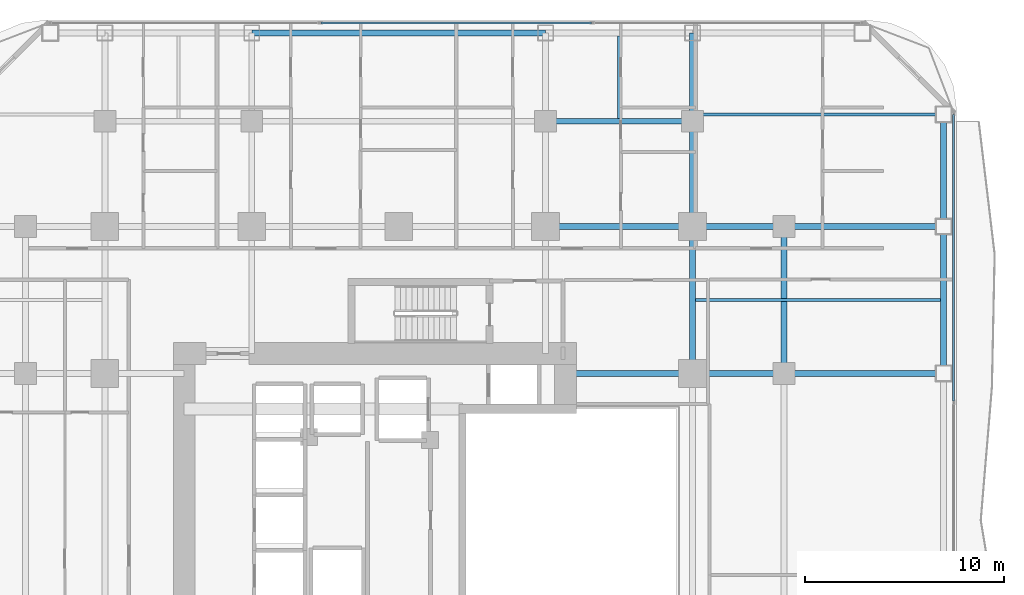
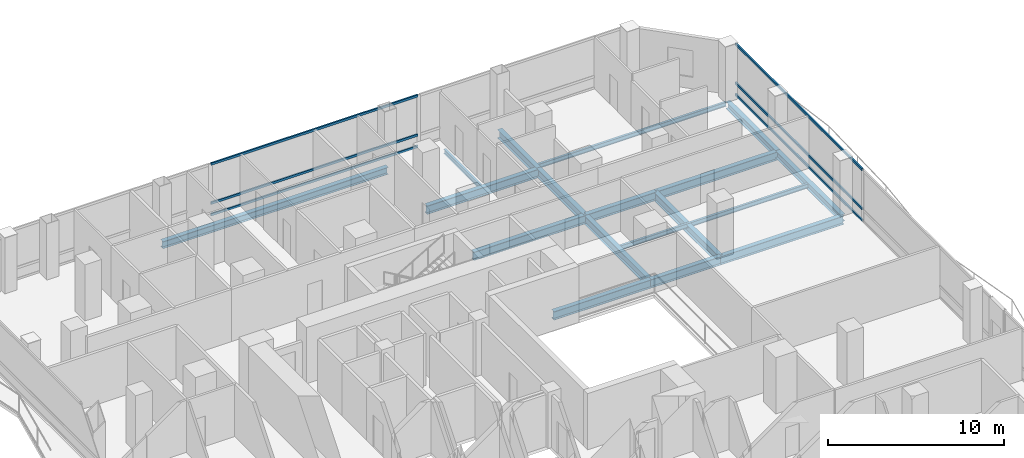
# One storey, part 17 of 27: 17 beams, 6 members, 2 elements without a shape of their own.
"""IFC4 building model written with IfcOpenShell, lengths in metres."""

import ifcopenshell
import ifcopenshell.guid

model = None  # the IFC model being written
_history = None  # IfcOwnerHistory: only IFC2X3 demands one
_inside = {}  # id of a spatial element -> (the spatial element, [elements in it])
_under = {}  # id of a project, library or spatial element -> (it, [spatial elements below it])
_declared = {}  # id of a project -> (the project, [libraries it declares])
_typed = {}  # id of a type object -> (the type object, [elements of that type])
_made_of = {}  # id of a material, layer set ... -> (it, [elements and type objects made of it])


def new_model(schema):
    """Start an empty IFC model of exactly this schema.

    Asked for "IFC4X3", IfcOpenShell would pick the latest addendum, in which some entities
    have other attributes; the version numbers below select the first issue.
    IFC2X3 requires an IfcOwnerHistory on every rooted entity: one is made here for all.
    """
    global model, _history
    if schema == "IFC4X3":
        model = ifcopenshell.file(schema_version=(4, 3, 0, 0))
    else:
        model = ifcopenshell.file(schema=schema)
    _inside.clear()
    _under.clear()
    _declared.clear()
    _typed.clear()
    _made_of.clear()
    _history = None
    if model.schema == "IFC2X3":
        org = make("IfcOrganization", Name="unknown")
        user = make(
            "IfcPersonAndOrganization",
            ThePerson=make("IfcPerson", FamilyName="unknown"),
            TheOrganization=org,
        )
        app = make(
            "IfcApplication",
            ApplicationDeveloper=org,
            Version="unknown",
            ApplicationFullName="unknown",
            ApplicationIdentifier="unknown",
        )
        _history = make(
            "IfcOwnerHistory",
            OwningUser=user,
            OwningApplication=app,
            ChangeAction="ADDED",
            CreationDate=0,
        )
    return model


def make(cls, **values):
    """One entity of the class cls with the attributes given. An attribute that is None is left unset."""
    return model.create_entity(
        cls, **{name: value for name, value in values.items() if value is not None}
    )


def rooted(cls, **values):
    """An entity with a GlobalId (a new one), such as an element, a storey or a relation."""
    return make(cls, GlobalId=ifcopenshell.guid.new(), OwnerHistory=_history, **values)


def si_unit(unit_type, name, prefix=None):
    """IfcSIUnit, for example si_unit("LENGTHUNIT", "METRE", prefix="MILLI")."""
    return make("IfcSIUnit", UnitType=unit_type, Prefix=prefix, Name=name)


def assignment(units):
    """IfcUnitAssignment: the units of a project."""
    return None if units is None else make("IfcUnitAssignment", Units=units)


def point(xyz):
    """IfcCartesianPoint."""
    return None if xyz is None else make("IfcCartesianPoint", Coordinates=xyz)


def direction(xyz):
    """IfcDirection."""
    return None if xyz is None else make("IfcDirection", DirectionRatios=xyz)


def frame(location, z_axis=None, x_axis=None):
    """IfcAxis2Placement3D, a coordinate frame: its origin and axes. An axis left out is left unset."""
    return make(
        "IfcAxis2Placement3D",
        Location=point(location),
        Axis=direction(z_axis),
        RefDirection=direction(x_axis),
    )


def frame_2d(location, x_axis=None):
    """IfcAxis2Placement2D, a coordinate frame in the plane: its origin and x axis."""
    return make(
        "IfcAxis2Placement2D", Location=point(location), RefDirection=direction(x_axis)
    )


def origin():
    """The frame at (0, 0, 0) with its axes left unset."""
    return frame((0.0, 0.0, 0.0))


def origin_2d():
    """The frame at (0, 0) in the plane with its x axis left unset."""
    return frame_2d((0.0, 0.0))


def place(relative_to, where):
    """IfcLocalPlacement: puts the frame where relative to a parent placement (None: the world)."""
    return make(
        "IfcLocalPlacement", PlacementRelTo=relative_to, RelativePlacement=where
    )


def context(
    kind, dimensions, precision=None, world=None, true_north=None, identifier=None
):
    """IfcGeometricRepresentationContext, for example the 3D "Model" context."""
    return make(
        "IfcGeometricRepresentationContext",
        ContextIdentifier=identifier,
        ContextType=kind,
        CoordinateSpaceDimension=dimensions,
        Precision=precision,
        WorldCoordinateSystem=world,
        TrueNorth=true_north,
    )


def subcontext(parent, identifier, kind, view, scale=None):
    """IfcGeometricRepresentationSubContext, for example "Body" below "Model"."""
    return make(
        "IfcGeometricRepresentationSubContext",
        ContextIdentifier=identifier,
        ContextType=kind,
        ParentContext=parent,
        TargetScale=scale,
        TargetView=view,
    )


def project(units=None, contexts=None):
    """IfcProject with its units and contexts."""
    return rooted(
        "IfcProject",
        Name="project",
        RepresentationContexts=contexts,
        UnitsInContext=assignment(units),
    )


def spatial(cls, under=None, at=None, **own):
    """A site, building, storey or space (cls), placed at a placement, below another one or the project."""
    s = rooted(cls, ObjectPlacement=at, **own)
    if under is not None:
        _under.setdefault(under.id(), (under, []))[1].append(s)
    return s


def profile(cls, at=None, kind="AREA", **sizes):
    """A parametric profile (cls). Its sizes go by their IFC names, for example OverallWidth=200.0."""
    return make(cls, ProfileType=kind, Position=at, **sizes)


def hollow_rectangle(**sizes):
    """IfcRectangleHollowProfileDef."""
    return profile("IfcRectangleHollowProfileDef", **sizes)


def i_section(**sizes):
    """IfcIShapeProfileDef."""
    return profile("IfcIShapeProfileDef", **sizes)


def extrude(swept, where, along, depth):
    """IfcExtrudedAreaSolid: the profile swept, set in the frame where, extruded along a direction by depth."""
    return make(
        "IfcExtrudedAreaSolid",
        SweptArea=swept,
        Position=where,
        ExtrudedDirection=direction(along),
        Depth=depth,
    )


def shape(context_of_items, identifier, shape_type, items):
    """IfcShapeRepresentation: the items that make up one representation, for example the "Body"."""
    return make(
        "IfcShapeRepresentation",
        ContextOfItems=context_of_items,
        RepresentationIdentifier=identifier,
        RepresentationType=shape_type,
        Items=items,
    )


def material(Name=None, Category=None):
    """IfcMaterial."""
    return make("IfcMaterial", Name=Name, Category=Category)


def layer(
    of_material, thickness, ventilated=None, Name=None, Category=None, Priority=None
):
    """IfcMaterialLayer: one layer of a wall or slab, of a material (None: an air gap)."""
    return make(
        "IfcMaterialLayer",
        Material=of_material,
        LayerThickness=thickness,
        IsVentilated=ventilated,
        Name=Name,
        Category=Category,
        Priority=Priority,
    )


def layer_set(layers, Name=None):
    """IfcMaterialLayerSet."""
    return make("IfcMaterialLayerSet", MaterialLayers=layers, LayerSetName=Name)


def material_profile(
    of_material, cross_section, Name=None, Category=None, Priority=None
):
    """IfcMaterialProfile: a cross section and its material."""
    return make(
        "IfcMaterialProfile",
        Name=Name,
        Material=of_material,
        Profile=cross_section,
        Priority=Priority,
        Category=Category,
    )


def profile_set(profiles, Name=None, composite=None):
    """IfcMaterialProfileSet."""
    return make(
        "IfcMaterialProfileSet",
        Name=Name,
        MaterialProfiles=profiles,
        CompositeProfile=composite,
    )


def made_of(thing, what):
    """Note that an element or type object is made of a material, layer set ...; save() writes the relation."""
    if what is not None:
        _made_of.setdefault(what.id(), (what, []))[1].append(thing)
    return thing


def type_object(cls, material=None, **own):
    """A type object (cls), such as IfcWallType, which elements share."""
    return made_of(rooted(cls, **own), material)


def element(
    cls,
    number,
    at=None,
    inside=None,
    cuts=None,
    type_object=None,
    material=None,
    context=None,
    identifier="Body",
    shape_type=None,
    held_by="IfcProductDefinitionShape",
    body=None,
    shapes=None,
    **own,
):
    """One element of the class cls, such as IfcWall. Its Tag is "e" and its number.

    at: its placement. inside: the storey or other place that contains it. cuts: it is an
    opening in that element (IfcRelVoidsElement). A single representation is given by context,
    identifier, shape_type and body (its items); several are given by shapes. held_by: the class
    of the entity that holds the representations. save() writes the other relations.
    """
    e = rooted(cls, Tag="e%d" % number, ObjectPlacement=at, **own)
    if body is not None:
        shapes = [shape(context, identifier, shape_type, body)]
    if shapes is not None:
        e.Representation = make(held_by, Representations=shapes)
    if inside is not None:
        _inside.setdefault(inside.id(), (inside, []))[1].append(e)
    if cuts is not None:
        rooted(
            "IfcRelVoidsElement", RelatingBuildingElement=cuts, RelatedOpeningElement=e
        )
    if type_object is not None:
        _typed.setdefault(type_object.id(), (type_object, []))[1].append(e)
    return made_of(e, material)


def aggregate(whole, parts):
    """IfcRelAggregates: a whole, such as a stair, and the parts it consists of."""
    return rooted("IfcRelAggregates", RelatingObject=whole, RelatedObjects=parts)


def save(model, path):
    """Write the relations noted so far, then the file.

    IfcRelAggregates (storeys below a building ...), IfcRelContainedInSpatialStructure (elements
    in a storey), IfcRelDefinesByType, IfcRelAssociatesMaterial and IfcRelDeclares: one each for
    every whole, place, type object, material and project.
    """
    for whole, parts in _under.values():
        aggregate(whole, parts)
    for where, things in _inside.values():
        rooted(
            "IfcRelContainedInSpatialStructure",
            RelatedElements=things,
            RelatingStructure=where,
        )
    for kind, things in _typed.values():
        rooted("IfcRelDefinesByType", RelatedObjects=things, RelatingType=kind)
    for what, things in _made_of.values():
        rooted("IfcRelAssociatesMaterial", RelatedObjects=things, RelatingMaterial=what)
    for by, libraries in _declared.values():
        rooted("IfcRelDeclares", RelatingContext=by, RelatedDefinitions=libraries)
    model.write(path)


model = new_model("IFC4")

# Units and contexts
model_context = context("Model", 3, precision=1e-05, world=origin(), true_north=direction((0.0, 1.0)))
body_context = subcontext(model_context, "Body", "Model", "MODEL_VIEW")
ifc_project = project(units=[si_unit("LENGTHUNIT", "METRE"), si_unit("AREAUNIT", "SQUARE_METRE"), si_unit("VOLUMEUNIT", "CUBIC_METRE"), si_unit("PLANEANGLEUNIT", "RADIAN"), si_unit("MASSUNIT", "GRAM", prefix="KILO")], contexts=[model_context])

# Site, building, storey
site_placement = place(None, origin())
site = spatial("IfcSite", under=ifc_project, at=site_placement, CompositionType="ELEMENT")
building_placement = place(site_placement, origin())
building = spatial("IfcBuilding", under=site, at=building_placement, Name="Khorvyn Point Tower", CompositionType="ELEMENT")
storey_placement = place(building_placement, frame((0.0, 0.0, 50.10009765625)))
storey = spatial("IfcBuildingStorey", under=building, at=storey_placement, Name="L13", CompositionType="ELEMENT", Elevation=50.10009765625)

# Curtain wall, members
ifc_material_1 = material(Name="Anodised aluminium 6063-T6 and laminated Low-E glass", Category="aluminium")
ifc_layer = layer(ifc_material_1, 0.18994140625)
ifc_layer_set = layer_set([ifc_layer], Name="Stick-Built Finned Residential Curtain Wall CW-SYS-02")
curtain_wall_type = type_object("IfcCurtainWallType", Name="Stick-Built Finned Residential Curtain Wall CW-SYS-02", PredefinedType="NOTDEFINED", material=ifc_layer_set)
curtain_wall_1_placement = place(storey_placement, origin())
curtain_wall_1 = element("IfcCurtainWall", 1, at=curtain_wall_1_placement, inside=storey, type_object=curtain_wall_type, Name="Curtain Wall", PredefinedType="NOTDEFINED")
ifc_material_2 = material(Name="Anodised aluminium 6063-T6", Category="aluminium")
ifc_material_profile_1 = material_profile(ifc_material_2, hollow_rectangle(XDim=0.10009765625, YDim=0.159912109375, WallThickness=0.00439453125, at=origin_2d()))
ifc_profile_set_1 = profile_set([ifc_material_profile_1], Name="Anodised aluminium 6063-T6 ALU-TRN-100x160")
member_type = type_object("IfcMemberType", Name="Anodised Aluminium 6063-T6 Transom ALU-TRN-100x160", PredefinedType="USERDEFINED", material=ifc_profile_set_1)
member_1_placement = place(storey_placement, frame((-3.89990234375, 25.050048828125, 0.0498046875), z_axis=(1.0, 0.0, 0.0), x_axis=(0.0, 1.0, 0.0)))
member_1 = element("IfcMember", 2, at=member_1_placement, type_object=member_type, Name="Transom", ObjectType="TRANSOM", PredefinedType="USERDEFINED", context=body_context, shape_type="SweptSolid", body=[
    extrude(hollow_rectangle(XDim=0.10009765625, YDim=0.159912109375, WallThickness=0.00439453125, at=origin_2d()), origin(), (0.0, 0.0, 1.0), 13.599853515625),
])
member_2_placement = place(storey_placement, frame((-3.89990234375, 25.050048828125, 0.849853515625), z_axis=(1.0, 0.0, 0.0), x_axis=(0.0, 1.0, 0.0)))
member_2 = element("IfcMember", 3, at=member_2_placement, type_object=member_type, Name="Transom", ObjectType="TRANSOM", PredefinedType="USERDEFINED", context=body_context, shape_type="SweptSolid", body=[
    extrude(hollow_rectangle(XDim=0.10009765625, YDim=0.159912109375, WallThickness=0.00439453125, at=origin_2d()), origin(), (0.0, 0.0, 1.0), 13.599853515625),
])
member_3_placement = place(storey_placement, frame((-3.89990234375, 25.050048828125, 3.56982421875), z_axis=(1.0, 0.0, 0.0), x_axis=(0.0, 1.0, 0.0)))
member_3 = element("IfcMember", 4, at=member_3_placement, type_object=member_type, Name="Transom", ObjectType="TRANSOM", PredefinedType="USERDEFINED", context=body_context, shape_type="SweptSolid", body=[
    extrude(hollow_rectangle(XDim=0.10009765625, YDim=0.159912109375, WallThickness=0.00439453125, at=origin_2d()), origin(), (0.0, 0.0, 1.0), 13.599853515625),
])
aggregate(curtain_wall_1, [member_1, member_2, member_3])

curtain_wall_2_placement = place(storey_placement, origin())
curtain_wall_2 = element("IfcCurtainWall", 5, at=curtain_wall_2_placement, inside=storey, type_object=curtain_wall_type, Name="Curtain Wall", PredefinedType="NOTDEFINED")
member_4_placement = place(storey_placement, frame((27.949951171875, 20.449951171875, 0.0498046875), z_axis=(0.0, -1.0, 0.0), x_axis=(1.0, 0.0, 0.0)))
member_4 = element("IfcMember", 6, at=member_4_placement, type_object=member_type, Name="Transom", ObjectType="TRANSOM", PredefinedType="USERDEFINED", context=body_context, shape_type="SweptSolid", body=[
    extrude(hollow_rectangle(XDim=0.10009765625, YDim=0.159912109375, WallThickness=0.00439453125, at=origin_2d()), origin(), (0.0, 0.0, 1.0), 14.448486328125),
])
member_5_placement = place(storey_placement, frame((27.949951171875, 20.449951171875, 0.849853515625), z_axis=(0.0, -1.0, 0.0), x_axis=(1.0, 0.0, 0.0)))
member_5 = element("IfcMember", 7, at=member_5_placement, type_object=member_type, Name="Transom", ObjectType="TRANSOM", PredefinedType="USERDEFINED", context=body_context, shape_type="SweptSolid", body=[
    extrude(hollow_rectangle(XDim=0.10009765625, YDim=0.159912109375, WallThickness=0.00439453125, at=origin_2d()), origin(), (0.0, 0.0, 1.0), 14.448486328125),
])
member_6_placement = place(storey_placement, frame((27.949951171875, 20.449951171875, 3.56982421875), z_axis=(0.0, -1.0, 0.0), x_axis=(1.0, 0.0, 0.0)))
member_6 = element("IfcMember", 8, at=member_6_placement, type_object=member_type, Name="Transom", ObjectType="TRANSOM", PredefinedType="USERDEFINED", context=body_context, shape_type="SweptSolid", body=[
    extrude(hollow_rectangle(XDim=0.10009765625, YDim=0.159912109375, WallThickness=0.00439453125, at=origin_2d()), origin(), (0.0, 0.0, 1.0), 14.448486328125),
])
aggregate(curtain_wall_2, [member_4, member_5, member_6])

# Beams
ifc_material_3 = material(Name="Steel S355", Category="steel")
ifc_material_profile_2 = material_profile(ifc_material_3, i_section(OverallWidth=0.300048828125, OverallDepth=0.587890625, WebThickness=0.011962890625, FlangeThickness=0.02001953125, at=origin_2d()))
ifc_profile_set_2 = profile_set([ifc_material_profile_2], Name="Steel S355 H588x300x12x20")
beam_type_1 = type_object("IfcBeamType", Name="Steel S355 Beam H588x300x12x20", PredefinedType="BEAM", material=ifc_profile_set_2)
beam_1_placement = place(storey_placement, frame((7.39990234375, 14.800048828125, -0.51416015625), z_axis=(1.0, 0.0, 0.0), x_axis=(0.0, 1.0, 0.0)))
element("IfcBeam", 9, at=beam_1_placement, inside=storey, type_object=beam_type_1, Name="Beam", PredefinedType="BEAM", context=body_context, shape_type="SweptSolid", body=[
    extrude(i_section(OverallWidth=0.300048828125, OverallDepth=0.587890625, WebThickness=0.011962890625, FlangeThickness=0.02001953125, at=origin_2d()), origin(), (0.0, 0.0, 1.0), 7.400146484375),
])
beam_2_placement = place(storey_placement, frame((14.800048828125, 14.800048828125, -0.51416015625), z_axis=(1.0, 0.0, 0.0), x_axis=(0.0, 1.0, 0.0)))
element("IfcBeam", 10, at=beam_2_placement, inside=storey, type_object=beam_type_1, Name="Beam", PredefinedType="BEAM", context=body_context, shape_type="SweptSolid", body=[
    extrude(i_section(OverallWidth=0.300048828125, OverallDepth=0.587890625, WebThickness=0.011962890625, FlangeThickness=0.02001953125, at=origin_2d()), origin(), (0.0, 0.0, 1.0), 4.599853515625),
])
beam_3_placement = place(storey_placement, frame((19.39990234375, 14.800048828125, -0.51416015625), z_axis=(1.0, 0.0, 0.0), x_axis=(0.0, 1.0, 0.0)))
element("IfcBeam", 11, at=beam_3_placement, inside=storey, type_object=beam_type_1, Name="Beam", PredefinedType="BEAM", context=body_context, shape_type="SweptSolid", body=[
    extrude(i_section(OverallWidth=0.300048828125, OverallDepth=0.587890625, WebThickness=0.011962890625, FlangeThickness=0.02001953125, at=origin_2d()), origin(), (0.0, 0.0, 1.0), 8.050048828125),
])
beam_4_placement = place(storey_placement, frame((8.39990234375, 7.39990234375, -0.51416015625), z_axis=(1.0, 0.0, 0.0), x_axis=(0.0, 1.0, 0.0)))
element("IfcBeam", 12, at=beam_4_placement, inside=storey, type_object=beam_type_1, Name="Beam", PredefinedType="BEAM", context=body_context, shape_type="SweptSolid", body=[
    extrude(i_section(OverallWidth=0.300048828125, OverallDepth=0.587890625, WebThickness=0.011962890625, FlangeThickness=0.02001953125, at=origin_2d()), origin(), (0.0, 0.0, 1.0), 6.400146484375),
])
beam_5_placement = place(storey_placement, frame((14.800048828125, 7.39990234375, -0.51416015625), z_axis=(1.0, 0.0, 0.0), x_axis=(0.0, 1.0, 0.0)))
element("IfcBeam", 13, at=beam_5_placement, inside=storey, type_object=beam_type_1, Name="Beam", PredefinedType="BEAM", context=body_context, shape_type="SweptSolid", body=[
    extrude(i_section(OverallWidth=0.300048828125, OverallDepth=0.587890625, WebThickness=0.011962890625, FlangeThickness=0.02001953125, at=origin_2d()), origin(), (0.0, 0.0, 1.0), 4.599853515625),
])
beam_6_placement = place(storey_placement, frame((19.39990234375, 7.39990234375, -0.51416015625), z_axis=(1.0, 0.0, 0.0), x_axis=(0.0, 1.0, 0.0)))
element("IfcBeam", 14, at=beam_6_placement, inside=storey, type_object=beam_type_1, Name="Beam", PredefinedType="BEAM", context=body_context, shape_type="SweptSolid", body=[
    extrude(i_section(OverallWidth=0.300048828125, OverallDepth=0.587890625, WebThickness=0.011962890625, FlangeThickness=0.02001953125, at=origin_2d()), origin(), (0.0, 0.0, 1.0), 8.050048828125),
])
for number, where, z_axis, x_axis, name in (
    (15, (7.39990234375, 20.10009765625, -0.51416015625), (1.0, 0.0, 0.0), (0.0, 1.0, 0.0), "Beam"),
    (16, (14.800048828125, 7.39990234375, -0.51416015625), (0.0, 1.0, 0.0), (-1.0, 0.0, 0.0), "Beam"),
):
    element("IfcBeam", number, at=place(storey_placement, frame(where, z_axis=z_axis, x_axis=x_axis)), inside=storey, type_object=beam_type_1, Name=name, PredefinedType="BEAM", context=body_context, shape_type="SweptSolid", body=[
        extrude(i_section(OverallWidth=0.300048828125, OverallDepth=0.587890625, WebThickness=0.011962890625, FlangeThickness=0.02001953125, at=origin_2d()), origin(), (0.0, 0.0, 1.0), 7.400146484375),
    ])
beam_7_placement = place(storey_placement, frame((14.800048828125, 14.800048828125, -0.51416015625), z_axis=(0.0, 1.0, 0.0), x_axis=(-1.0, 0.0, 0.0)))
element("IfcBeam", 17, at=beam_7_placement, inside=storey, type_object=beam_type_1, Name="Beam", PredefinedType="BEAM", context=body_context, shape_type="SweptSolid", body=[
    extrude(i_section(OverallWidth=0.300048828125, OverallDepth=0.587890625, WebThickness=0.011962890625, FlangeThickness=0.02001953125, at=origin_2d()), origin(), (0.0, 0.0, 1.0), 5.300048828125),
])
beam_8_placement = place(storey_placement, frame((14.800048828125, 20.10009765625, -0.51416015625), z_axis=(0.0, 1.0, 0.0), x_axis=(-1.0, 0.0, 0.0)))
element("IfcBeam", 18, at=beam_8_placement, inside=storey, type_object=beam_type_1, Name="Beam", PredefinedType="BEAM", context=body_context, shape_type="SweptSolid", body=[
    extrude(i_section(OverallWidth=0.300048828125, OverallDepth=0.587890625, WebThickness=0.011962890625, FlangeThickness=0.02001953125, at=origin_2d()), origin(), (0.0, 0.0, 1.0), 4.449951171875),
])
beam_9_placement = place(storey_placement, frame((19.39990234375, 7.39990234375, -0.51416015625), z_axis=(0.0, 1.0, 0.0), x_axis=(-1.0, 0.0, 0.0)))
element("IfcBeam", 19, at=beam_9_placement, inside=storey, type_object=beam_type_1, Name="Beam", PredefinedType="BEAM", context=body_context, shape_type="SweptSolid", body=[
    extrude(i_section(OverallWidth=0.300048828125, OverallDepth=0.587890625, WebThickness=0.011962890625, FlangeThickness=0.02001953125, at=origin_2d()), origin(), (0.0, 0.0, 1.0), 7.400146484375),
])
ifc_material_profile_3 = material_profile(ifc_material_3, i_section(OverallWidth=0.14990234375, OverallDepth=0.300048828125, WebThickness=0.006591796875, FlangeThickness=0.009033203125, at=origin_2d()))
ifc_profile_set_3 = profile_set([ifc_material_profile_3], Name="Steel S355 H300x150x6.5x9")
beam_type_2 = type_object("IfcBeamType", Name="Steel S355 Joist H300x150x6.5x9", PredefinedType="JOIST", material=ifc_profile_set_3)
beam_10_placement = place(storey_placement, frame((14.949951171875, 11.10009765625, -0.3701171875), z_axis=(1.0, 0.0, 0.0), x_axis=(0.0, 1.0, 0.0)))
element("IfcBeam", 20, at=beam_10_placement, inside=storey, type_object=beam_type_2, Name="Beam", PredefinedType="JOIST", context=body_context, shape_type="SweptSolid", body=[
    extrude(i_section(OverallWidth=0.14990234375, OverallDepth=0.300048828125, WebThickness=0.006591796875, FlangeThickness=0.009033203125, at=origin_2d()), origin(), (0.0, 0.0, 1.0), 12.35009765625),
])
beam_11_placement = place(storey_placement, frame((11.10009765625, 20.25, -0.3701171875), z_axis=(0.0, 1.0, 0.0), x_axis=(-1.0, 0.0, 0.0)))
element("IfcBeam", 21, at=beam_11_placement, inside=storey, type_object=beam_type_2, Name="Beam", PredefinedType="JOIST", context=body_context, shape_type="SweptSolid", body=[
    extrude(i_section(OverallWidth=0.14990234375, OverallDepth=0.300048828125, WebThickness=0.006591796875, FlangeThickness=0.009033203125, at=origin_2d()), origin(), (0.0, 0.0, 1.0), 4.14990234375),
])
beam_12_placement = place(storey_placement, frame((14.949951171875, 20.449951171875, -0.3701171875), z_axis=(1.0, 0.0, 0.0), x_axis=(0.0, 1.0, 0.0)))
element("IfcBeam", 22, at=beam_12_placement, inside=storey, type_object=beam_type_2, Name="Beam", PredefinedType="JOIST", context=body_context, shape_type="SweptSolid", body=[
    extrude(i_section(OverallWidth=0.14990234375, OverallDepth=0.300048828125, WebThickness=0.006591796875, FlangeThickness=0.009033203125, at=origin_2d()), origin(), (0.0, 0.0, 1.0), 12.35009765625),
])
ifc_material_profile_4 = material_profile(ifc_material_3, i_section(OverallWidth=0.300048828125, OverallDepth=0.488037109375, WebThickness=0.010986328125, FlangeThickness=0.01806640625, at=origin_2d()))
ifc_profile_set_4 = profile_set([ifc_material_profile_4], Name="Steel S355 H488x300x11x18")
beam_type_3 = type_object("IfcBeamType", Name="Steel S355 Spandrel H488x300x11x18", PredefinedType="SPANDREL", material=ifc_profile_set_4)
beam_13_placement = place(storey_placement, frame((-7.39990234375, 24.550048828125, -0.464111328125), z_axis=(1.0, 0.0, 0.0), x_axis=(0.0, 1.0, 0.0)))
element("IfcBeam", 23, at=beam_13_placement, inside=storey, type_object=beam_type_3, Name="Beam", PredefinedType="SPANDREL", context=body_context, shape_type="SweptSolid", body=[
    extrude(i_section(OverallWidth=0.300048828125, OverallDepth=0.488037109375, WebThickness=0.010986328125, FlangeThickness=0.01806640625, at=origin_2d()), origin(), (0.0, 0.0, 1.0), 14.7998046875),
])
beam_14_placement = place(storey_placement, frame((27.449951171875, 7.39990234375, -0.464111328125), z_axis=(0.0, 1.0, 0.0), x_axis=(-1.0, 0.0, 0.0)))
element("IfcBeam", 24, at=beam_14_placement, inside=storey, type_object=beam_type_3, Name="Beam", PredefinedType="SPANDREL", context=body_context, shape_type="SweptSolid", body=[
    extrude(i_section(OverallWidth=0.300048828125, OverallDepth=0.488037109375, WebThickness=0.010986328125, FlangeThickness=0.01806640625, at=origin_2d()), origin(), (0.0, 0.0, 1.0), 7.400146484375),
])
beam_15_placement = place(storey_placement, frame((27.449951171875, 14.800048828125, -0.464111328125), z_axis=(0.0, 1.0, 0.0), x_axis=(-1.0, 0.0, 0.0)))
element("IfcBeam", 25, at=beam_15_placement, inside=storey, type_object=beam_type_3, Name="Beam", PredefinedType="SPANDREL", context=body_context, shape_type="SweptSolid", body=[
    extrude(i_section(OverallWidth=0.300048828125, OverallDepth=0.488037109375, WebThickness=0.010986328125, FlangeThickness=0.01806640625, at=origin_2d()), origin(), (0.0, 0.0, 1.0), 5.64990234375),
])

save(model, "model.ifc")
